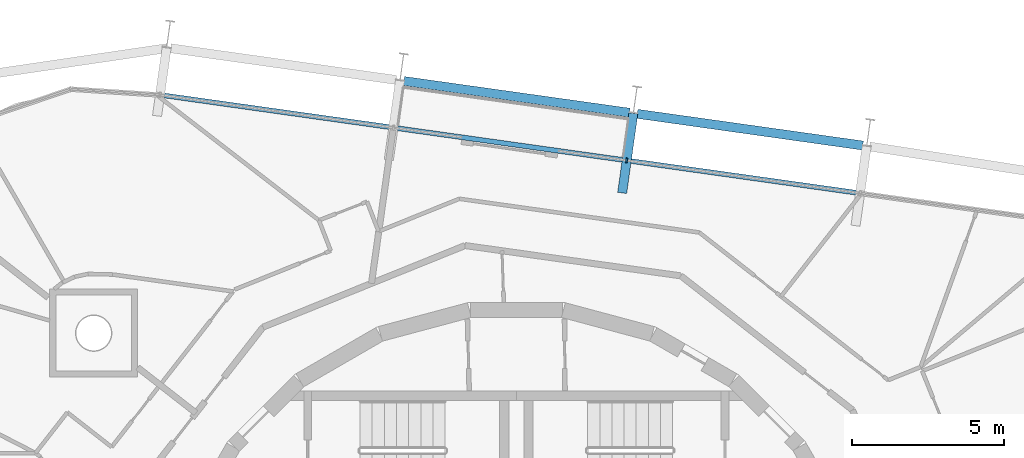
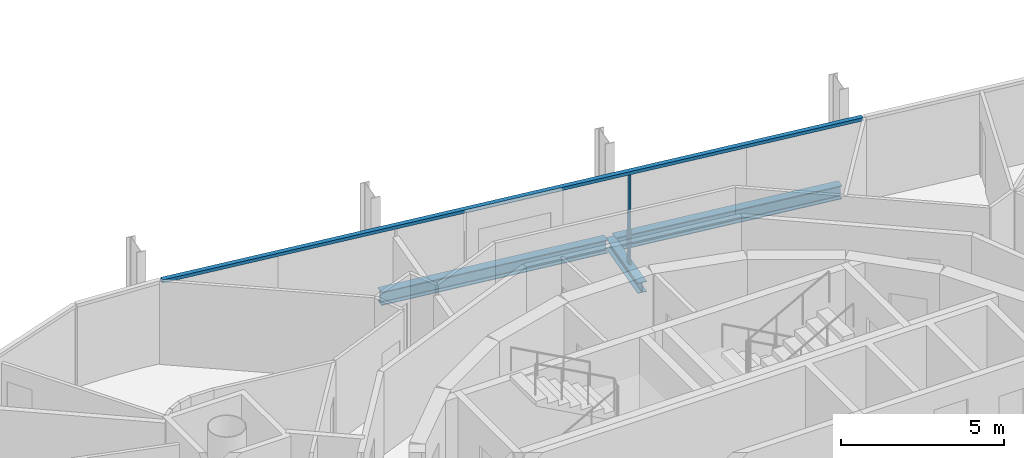
# One storey, part 6 of 15: 3 beams, 2 members, 1 element without a shape of its own.
"""IFC4 building model written with IfcOpenShell, lengths in metres."""

from ifc_helpers import new_model, si_unit, direction, frame, origin, origin_2d, place, context, subcontext, project, spatial, rectangle, i_section, extrude, material, layer, layer_set, material_profile, profile_set, type_object, element, aggregate, save


model = new_model("IFC4")

# Units and contexts
model_context = context("Model", 3, precision=1e-05, world=origin(), true_north=direction((0.0, 1.0)))
body_context = subcontext(model_context, "Body", "Model", "MODEL_VIEW")
ifc_project = project(units=[si_unit("LENGTHUNIT", "METRE"), si_unit("AREAUNIT", "SQUARE_METRE"), si_unit("VOLUMEUNIT", "CUBIC_METRE"), si_unit("PLANEANGLEUNIT", "RADIAN"), si_unit("MASSUNIT", "GRAM", prefix="KILO")], contexts=[model_context])

# Site, building, storey
site_placement = place(None, origin())
site = spatial("IfcSite", under=ifc_project, at=site_placement, CompositionType="ELEMENT")
building_placement = place(site_placement, origin())
building = spatial("IfcBuilding", under=site, at=building_placement, Name="Spindle Arch Residences", CompositionType="ELEMENT")
storey_placement = place(building_placement, frame((0.0, 0.0, 354.0)))
storey = spatial("IfcBuildingStorey", under=building, at=storey_placement, Name="L91", CompositionType="ELEMENT", Elevation=354.0)

# Curtain wall, members
ifc_material_1 = material(Name="Aluminium bronze unitised frame with tinted glass", Category="aluminium")
ifc_layer = layer(ifc_material_1, 0.159912109375)
ifc_layer_set = layer_set([ifc_layer], Name="CW-C typical residential unitised wall")
curtain_wall_type = type_object("IfcCurtainWallType", Name="CW-C typical residential unitised wall", PredefinedType="NOTDEFINED", material=ifc_layer_set)
curtain_wall_placement = place(storey_placement, origin())
curtain_wall = element("IfcCurtainWall", 1, at=curtain_wall_placement, inside=storey, type_object=curtain_wall_type, Name="CW-C L91 run 2", PredefinedType="NOTDEFINED")
ifc_material_2 = material(Name="Aluminium bronze anodised mullion", Category="aluminium")
ifc_material_profile_1 = material_profile(ifc_material_2, rectangle(XDim=0.159912109375, YDim=0.06005859375, at=origin_2d()), Name="MU 60x160")
ifc_profile_set_1 = profile_set([ifc_material_profile_1], Name="Aluminium bronze anodised mullion")
member_type_1 = type_object("IfcMemberType", Name="Bronze mullion 60x160", PredefinedType="MULLION", material=ifc_profile_set_1)
member_1_placement = place(storey_placement, frame((3.63623046875, 16.57373046875, -0.3798828125), z_axis=(0.0, 0.0, 1.0), x_axis=(-0.13917310096, -0.990268068742, 0.0)))
member_1 = element("IfcMember", 2, at=member_1_placement, type_object=member_type_1, Name="CW-C mullion 06", PredefinedType="MULLION", context=body_context, shape_type="SweptSolid", body=[
    extrude(rectangle(XDim=0.159912109375, YDim=0.06005859375, at=origin_2d()), origin(), (0.0, 0.0, 1.0), 3.3798828125),
])
ifc_material_3 = material(Name="Aluminium bronze anodised transom", Category="aluminium")
ifc_material_profile_2 = material_profile(ifc_material_3, rectangle(XDim=0.159912109375, YDim=0.1201171875, at=origin_2d()), Name="TR 120x160")
ifc_profile_set_2 = profile_set([ifc_material_profile_2], Name="Aluminium bronze anodised transom")
member_type_2 = type_object("IfcMemberType", Name="Bronze transom 120x160", PredefinedType="USERDEFINED", material=ifc_profile_set_2)
member_2_placement = place(storey_placement, frame((11.296630859375, 15.4970703125, 3.06005859375), z_axis=(-0.990268437621, 0.13917047622, 0.0), x_axis=(-0.13917047622, -0.990268437621, 0.0)))
member_2 = element("IfcMember", 3, at=member_2_placement, type_object=member_type_2, Name="CW-C transom 00", ObjectType="TRANSOM", PredefinedType="USERDEFINED", context=body_context, shape_type="SweptSolid", body=[
    extrude(rectangle(XDim=0.159912109375, YDim=0.1201171875, at=origin_2d()), origin(), (0.0, 0.0, 1.0), 23.23681640625),
])
aggregate(curtain_wall, [member_2, member_1])

# Beams
ifc_material_4 = material(Name="Steel S460ML, intumescent coating R 120", Category="steel")
ifc_material_profile_3 = material_profile(ifc_material_4, i_section(OverallWidth=0.300048828125, OverallDepth=0.5, WebThickness=0.014404296875, FlangeThickness=0.028076171875, FilletRadius=0.027099609375, at=origin_2d()), Name="HEB 500")
ifc_profile_set_3 = profile_set([ifc_material_profile_3], Name="Steel S460ML, intumescent coating R 120")
beam_type_1 = type_object("IfcBeamType", Name="Exoskeleton edge beam HEB 500", PredefinedType="BEAM", material=ifc_profile_set_3)
for number, where, z_axis, x_axis, name in (
    (4, (11.416015625, 17.065673828125, -0.6298828125), (-0.990266388354, 0.139185057015, 0.0), (-0.139185057015, -0.990266388354, 0.0), "Exoskeleton edge beam 6"),
    (5, (3.72607421875, 18.146484375, -0.6298828125), (-0.990270871131, 0.139153159463, 0.0), (-0.139153159463, -0.990270871131, 0.0), "Exoskeleton edge beam 7"),
):
    element("IfcBeam", number, at=place(storey_placement, frame(where, z_axis=z_axis, x_axis=x_axis)), inside=storey, type_object=beam_type_1, Name=name, PredefinedType="BEAM", context=body_context, shape_type="SweptSolid", body=[
        extrude(i_section(OverallWidth=0.300048828125, OverallDepth=0.5, WebThickness=0.014404296875, FlangeThickness=0.028076171875, FilletRadius=0.027099609375, at=origin_2d()), origin(), (0.0, 0.0, 1.0), 7.505615234375),
    ])
ifc_material_5 = material(Name="Steel S460ML, intumescent coating R 120", Category="steel")
ifc_material_profile_4 = material_profile(ifc_material_5, i_section(OverallWidth=0.300048828125, OverallDepth=0.389892578125, WebThickness=0.010986328125, FlangeThickness=0.01904296875, FilletRadius=0.027099609375, at=origin_2d()), Name="HEA 400")
ifc_profile_set_4 = profile_set([ifc_material_profile_4], Name="Steel S460ML, intumescent coating R 120")
beam_type_2 = type_object("IfcBeamType", Name="Floor outrigger HEA 400", PredefinedType="BEAM", material=ifc_profile_set_4)
beam_placement = place(storey_placement, frame((3.854736328125, 18.12841796875, -0.574951171875), z_axis=(-0.13911226088, -0.990276617351, 0.0), x_axis=(0.990276617351, -0.13911226088, 0.0)))
element("IfcBeam", 6, at=beam_placement, inside=storey, type_object=beam_type_2, Name="Floor outrigger 7", PredefinedType="BEAM", context=body_context, shape_type="SweptSolid", body=[
    extrude(i_section(OverallWidth=0.300048828125, OverallDepth=0.389892578125, WebThickness=0.010986328125, FlangeThickness=0.01904296875, FilletRadius=0.027099609375, at=origin_2d()), origin(), (0.0, 0.0, 1.0), 2.650146484375),
])

save(model, "model.ifc")
